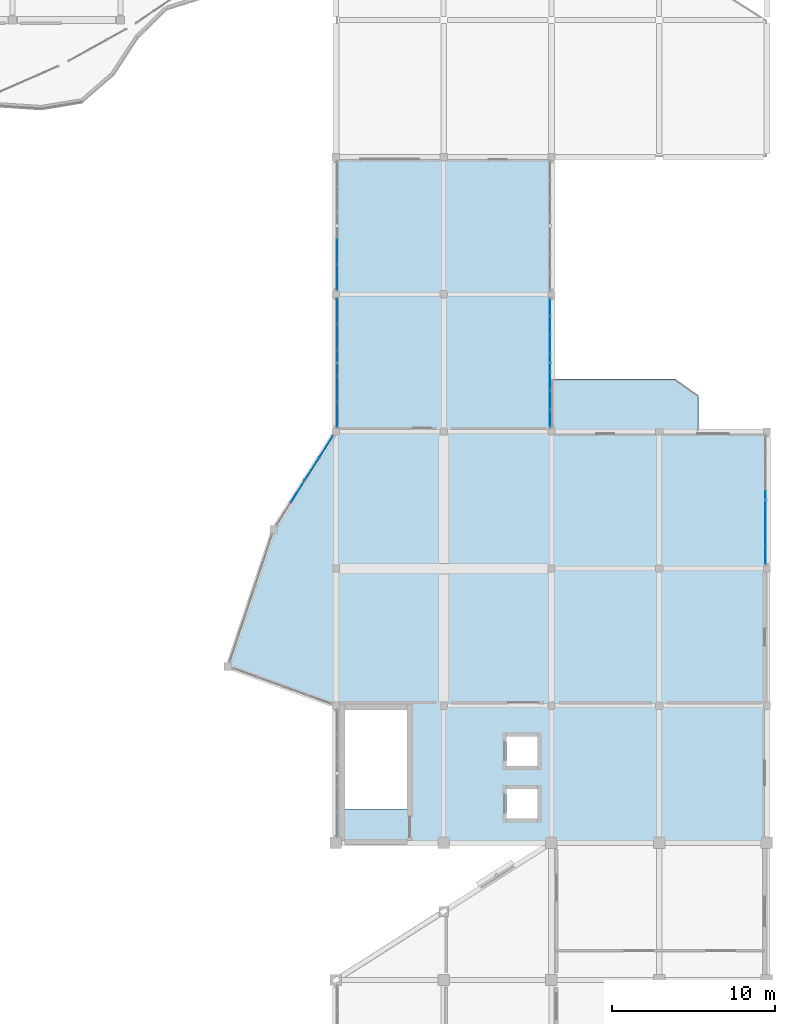
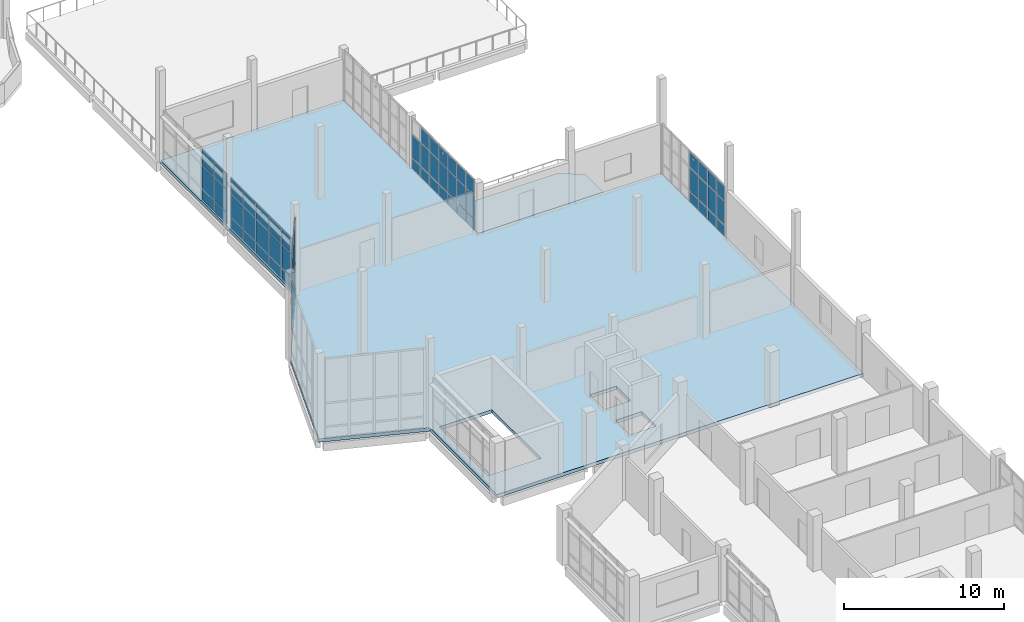
# One storey, part 52 of 78: 61 plates, 2 slabs, 5 elements without a shape of their own.
"""IFC4 building model written with IfcOpenShell, lengths in metres."""

from ifc_helpers import new_model, si_unit, direction, frame, origin, origin_2d, place, context, subcontext, project, spatial, polyline, rectangle, outline, extrude, material, layer, layer_set, type_object, element, aggregate, save


model = new_model("IFC4")

# Units and contexts
model_context = context("Model", 3, precision=1e-05, world=origin(), true_north=direction((0.0, 1.0)))
body_context = subcontext(model_context, "Body", "Model", "MODEL_VIEW")
ifc_project = project(units=[si_unit("LENGTHUNIT", "METRE"), si_unit("AREAUNIT", "SQUARE_METRE"), si_unit("VOLUMEUNIT", "CUBIC_METRE"), si_unit("PLANEANGLEUNIT", "RADIAN"), si_unit("MASSUNIT", "GRAM", prefix="KILO")], contexts=[model_context])

# Site, building, storey
site_placement = place(None, origin())
site = spatial("IfcSite", under=ifc_project, at=site_placement, CompositionType="ELEMENT")
building_placement = place(site_placement, origin())
building = spatial("IfcBuilding", under=site, at=building_placement, Name="Qaldarim Faculty of Natural and Applied Sciences", CompositionType="ELEMENT")
storey_placement = place(building_placement, frame((0.0, 0.0, 18.60009765625)))
storey = spatial("IfcBuildingStorey", under=building, at=storey_placement, Name="L04", CompositionType="ELEMENT", Elevation=18.60009765625)

# Slab
ifc_material_1 = material(Name="Concrete C40/50", Category="concrete")
ifc_layer_1 = layer(ifc_material_1, 0.260009765625)
ifc_layer_set_1 = layer_set([ifc_layer_1], Name="Concrete C40/50")
slab_type_1 = type_object("IfcSlabType", Name="LaboratoryFloorSlab-260", PredefinedType="FLOOR", material=ifc_layer_set_1)
slab_1_placement = place(storey_placement, frame((0.0, 0.0, -0.260009765625)))
element("IfcSlab", 1, at=slab_1_placement, inside=storey, type_object=slab_type_1, Name="Floor slab L04 V3", PredefinedType="FLOOR", context=body_context, shape_type="SweptSolid", body=[
    extrude(outline(polyline([(148.0, 78.0), (151.800048828125, 84.0), (151.800048828125, 100.800048828125), (165.0, 100.800048828125), (165.0, 84.0), (178.199951171875, 84.0), (178.199951171875, 58.800048828125), (151.800048828125, 58.800048828125), (151.800048828125, 67.199951171875), (145.199951171875, 69.60009765625), (148.0, 78.0)]), holes=[polyline([(156.14990234375, 60.864990234375), (156.14990234375, 66.97509765625), (152.35009765625, 66.97509765625), (152.35009765625, 60.864990234375), (156.14990234375, 60.864990234375)]), polyline([(162.25, 60.300048828125), (164.14990234375, 60.300048828125), (164.14990234375, 62.10009765625), (162.25, 62.10009765625), (162.25, 60.300048828125)]), polyline([(162.25, 63.5), (164.14990234375, 63.5), (164.14990234375, 65.300048828125), (162.25, 65.300048828125), (162.25, 63.5)])]), origin(), (0.0, 0.0, 1.0), 0.260009765625),
])

# Curtain wall, plates
ifc_material_2 = material(Name="Anodised aluminium AW-6063", Category="aluminium")
curtain_wall_type_1 = type_object("IfcCurtainWallType", Name="CurtainWallSystem-M1200", PredefinedType="USERDEFINED", material=ifc_material_2)
curtain_wall_1_placement = place(storey_placement, origin())
curtain_wall_1 = element("IfcCurtainWall", 2, at=curtain_wall_1_placement, inside=storey, type_object=curtain_wall_type_1, Name="Curtain wall CW-L04-E-X25Y11", ObjectType="STICK CURTAIN WALL", PredefinedType="USERDEFINED")
ifc_material_3 = material(Name="Insulated low-e double glazing", Category="glass")
ifc_layer_2 = layer(ifc_material_3, 0.031982421875)
ifc_layer_set_2 = layer_set([ifc_layer_2], Name="Insulated low-e double glazing")
plate_type_1 = type_object("IfcPlateType", Name="SolarControlGlazingPanel-32", PredefinedType="CURTAIN_PANEL", material=ifc_layer_set_2)
plate_1_placement = place(storey_placement, frame((164.919921875, 84.80615234375, 0.06982421875), z_axis=(0.0, 0.0, 1.0), x_axis=(0.0, 1.0, 0.0)))
plate_1 = element("IfcPlate", 3, at=plate_1_placement, type_object=plate_type_1, Name="Glazed panel 1-1 of CW-L04-E-X25Y11", PredefinedType="CURTAIN_PANEL", context=body_context, shape_type="SweptSolid", body=[
    extrude(rectangle(XDim=1.031982421875, YDim=0.031982421875, at=origin_2d()), origin(), (0.0, 0.0, 1.0), 0.794921875),
])
plate_2_placement = place(storey_placement, frame((164.919921875, 84.80615234375, 0.934814453125), z_axis=(0.0, 0.0, 1.0), x_axis=(0.0, 1.0, 0.0)))
plate_2 = element("IfcPlate", 4, at=plate_2_placement, type_object=plate_type_1, Name="Glazed panel 1-2 of CW-L04-E-X25Y11", PredefinedType="CURTAIN_PANEL", context=body_context, shape_type="SweptSolid", body=[
    extrude(rectangle(XDim=1.031982421875, YDim=0.031982421875, at=origin_2d()), origin(), (0.0, 0.0, 1.0), 1.72998046875),
])
plate_3_placement = place(storey_placement, frame((164.919921875, 84.80615234375, 2.73486328125), z_axis=(0.0, 0.0, 1.0), x_axis=(0.0, 1.0, 0.0)))
plate_3 = element("IfcPlate", 5, at=plate_3_placement, type_object=plate_type_1, Name="Glazed panel 1-3 of CW-L04-E-X25Y11", PredefinedType="CURTAIN_PANEL", context=body_context, shape_type="SweptSolid", body=[
    extrude(rectangle(XDim=1.031982421875, YDim=0.031982421875, at=origin_2d()), origin(), (0.0, 0.0, 1.0), 1.135009765625),
])
plate_4_placement = place(storey_placement, frame((164.919921875, 85.92578125, 0.06982421875), z_axis=(0.0, 0.0, 1.0), x_axis=(0.0, 1.0, 0.0)))
plate_4 = element("IfcPlate", 6, at=plate_4_placement, type_object=plate_type_1, Name="Glazed panel 2-1 of CW-L04-E-X25Y11", PredefinedType="CURTAIN_PANEL", context=body_context, shape_type="SweptSolid", body=[
    extrude(rectangle(XDim=1.067138671875, YDim=0.031982421875, at=origin_2d()), origin(), (0.0, 0.0, 1.0), 0.794921875),
])
plate_5_placement = place(storey_placement, frame((164.919921875, 85.92578125, 0.934814453125), z_axis=(0.0, 0.0, 1.0), x_axis=(0.0, 1.0, 0.0)))
plate_5 = element("IfcPlate", 7, at=plate_5_placement, type_object=plate_type_1, Name="Glazed panel 2-2 of CW-L04-E-X25Y11", PredefinedType="CURTAIN_PANEL", context=body_context, shape_type="SweptSolid", body=[
    extrude(rectangle(XDim=1.067138671875, YDim=0.031982421875, at=origin_2d()), origin(), (0.0, 0.0, 1.0), 1.72998046875),
])
plate_6_placement = place(storey_placement, frame((164.919921875, 85.92578125, 2.73486328125), z_axis=(0.0, 0.0, 1.0), x_axis=(0.0, 1.0, 0.0)))
plate_6 = element("IfcPlate", 8, at=plate_6_placement, type_object=plate_type_1, Name="Glazed panel 2-3 of CW-L04-E-X25Y11", PredefinedType="CURTAIN_PANEL", context=body_context, shape_type="SweptSolid", body=[
    extrude(rectangle(XDim=1.067138671875, YDim=0.031982421875, at=origin_2d()), origin(), (0.0, 0.0, 1.0), 1.135009765625),
])
plate_7_placement = place(storey_placement, frame((164.919921875, 87.06298828125, 0.06982421875), z_axis=(0.0, 0.0, 1.0), x_axis=(0.0, 1.0, 0.0)))
plate_7 = element("IfcPlate", 9, at=plate_7_placement, type_object=plate_type_1, Name="Glazed panel 3-1 of CW-L04-E-X25Y11", PredefinedType="CURTAIN_PANEL", context=body_context, shape_type="SweptSolid", body=[
    extrude(rectangle(XDim=1.067138671875, YDim=0.031982421875, at=origin_2d()), origin(), (0.0, 0.0, 1.0), 0.794921875),
])
plate_8_placement = place(storey_placement, frame((164.919921875, 87.06298828125, 0.934814453125), z_axis=(0.0, 0.0, 1.0), x_axis=(0.0, 1.0, 0.0)))
plate_8 = element("IfcPlate", 10, at=plate_8_placement, type_object=plate_type_1, Name="Glazed panel 3-2 of CW-L04-E-X25Y11", PredefinedType="CURTAIN_PANEL", context=body_context, shape_type="SweptSolid", body=[
    extrude(rectangle(XDim=1.067138671875, YDim=0.031982421875, at=origin_2d()), origin(), (0.0, 0.0, 1.0), 1.72998046875),
])
plate_9_placement = place(storey_placement, frame((164.919921875, 87.06298828125, 2.73486328125), z_axis=(0.0, 0.0, 1.0), x_axis=(0.0, 1.0, 0.0)))
plate_9 = element("IfcPlate", 11, at=plate_9_placement, type_object=plate_type_1, Name="Glazed panel 3-3 of CW-L04-E-X25Y11", PredefinedType="CURTAIN_PANEL", context=body_context, shape_type="SweptSolid", body=[
    extrude(rectangle(XDim=1.067138671875, YDim=0.031982421875, at=origin_2d()), origin(), (0.0, 0.0, 1.0), 1.135009765625),
])
plate_10_placement = place(storey_placement, frame((164.919921875, 88.199951171875, 0.06982421875), z_axis=(0.0, 0.0, 1.0), x_axis=(0.0, 1.0, 0.0)))
plate_10 = element("IfcPlate", 12, at=plate_10_placement, type_object=plate_type_1, Name="Glazed panel 4-1 of CW-L04-E-X25Y11", PredefinedType="CURTAIN_PANEL", context=body_context, shape_type="SweptSolid", body=[
    extrude(rectangle(XDim=1.067138671875, YDim=0.031982421875, at=origin_2d()), origin(), (0.0, 0.0, 1.0), 0.794921875),
])
plate_11_placement = place(storey_placement, frame((164.919921875, 88.199951171875, 0.934814453125), z_axis=(0.0, 0.0, 1.0), x_axis=(0.0, 1.0, 0.0)))
plate_11 = element("IfcPlate", 13, at=plate_11_placement, type_object=plate_type_1, Name="Glazed panel 4-2 of CW-L04-E-X25Y11", PredefinedType="CURTAIN_PANEL", context=body_context, shape_type="SweptSolid", body=[
    extrude(rectangle(XDim=1.067138671875, YDim=0.031982421875, at=origin_2d()), origin(), (0.0, 0.0, 1.0), 1.72998046875),
])
plate_12_placement = place(storey_placement, frame((164.919921875, 88.199951171875, 2.73486328125), z_axis=(0.0, 0.0, 1.0), x_axis=(0.0, 1.0, 0.0)))
plate_12 = element("IfcPlate", 14, at=plate_12_placement, type_object=plate_type_1, Name="Glazed panel 4-3 of CW-L04-E-X25Y11", PredefinedType="CURTAIN_PANEL", context=body_context, shape_type="SweptSolid", body=[
    extrude(rectangle(XDim=1.067138671875, YDim=0.031982421875, at=origin_2d()), origin(), (0.0, 0.0, 1.0), 1.135009765625),
])
plate_13_placement = place(storey_placement, frame((164.919921875, 89.337158203125, 0.06982421875), z_axis=(0.0, 0.0, 1.0), x_axis=(0.0, 1.0, 0.0)))
plate_13 = element("IfcPlate", 15, at=plate_13_placement, type_object=plate_type_1, Name="Glazed panel 5-1 of CW-L04-E-X25Y11", PredefinedType="CURTAIN_PANEL", context=body_context, shape_type="SweptSolid", body=[
    extrude(rectangle(XDim=1.067138671875, YDim=0.031982421875, at=origin_2d()), origin(), (0.0, 0.0, 1.0), 0.794921875),
])
plate_14_placement = place(storey_placement, frame((164.919921875, 89.337158203125, 0.934814453125), z_axis=(0.0, 0.0, 1.0), x_axis=(0.0, 1.0, 0.0)))
plate_14 = element("IfcPlate", 16, at=plate_14_placement, type_object=plate_type_1, Name="Glazed panel 5-2 of CW-L04-E-X25Y11", PredefinedType="CURTAIN_PANEL", context=body_context, shape_type="SweptSolid", body=[
    extrude(rectangle(XDim=1.067138671875, YDim=0.031982421875, at=origin_2d()), origin(), (0.0, 0.0, 1.0), 1.72998046875),
])
plate_15_placement = place(storey_placement, frame((164.919921875, 89.337158203125, 2.73486328125), z_axis=(0.0, 0.0, 1.0), x_axis=(0.0, 1.0, 0.0)))
plate_15 = element("IfcPlate", 17, at=plate_15_placement, type_object=plate_type_1, Name="Glazed panel 5-3 of CW-L04-E-X25Y11", PredefinedType="CURTAIN_PANEL", context=body_context, shape_type="SweptSolid", body=[
    extrude(rectangle(XDim=1.067138671875, YDim=0.031982421875, at=origin_2d()), origin(), (0.0, 0.0, 1.0), 1.135009765625),
])
plate_16_placement = place(storey_placement, frame((164.919921875, 90.474365234375, 0.06982421875), z_axis=(0.0, 0.0, 1.0), x_axis=(0.0, 1.0, 0.0)))
plate_16 = element("IfcPlate", 18, at=plate_16_placement, type_object=plate_type_1, Name="Glazed panel 6-1 of CW-L04-E-X25Y11", PredefinedType="CURTAIN_PANEL", context=body_context, shape_type="SweptSolid", body=[
    extrude(rectangle(XDim=1.067138671875, YDim=0.031982421875, at=origin_2d()), origin(), (0.0, 0.0, 1.0), 0.794921875),
])
plate_17_placement = place(storey_placement, frame((164.919921875, 90.474365234375, 0.934814453125), z_axis=(0.0, 0.0, 1.0), x_axis=(0.0, 1.0, 0.0)))
plate_17 = element("IfcPlate", 19, at=plate_17_placement, type_object=plate_type_1, Name="Glazed panel 6-2 of CW-L04-E-X25Y11", PredefinedType="CURTAIN_PANEL", context=body_context, shape_type="SweptSolid", body=[
    extrude(rectangle(XDim=1.067138671875, YDim=0.031982421875, at=origin_2d()), origin(), (0.0, 0.0, 1.0), 1.72998046875),
])
plate_18_placement = place(storey_placement, frame((164.919921875, 90.474365234375, 2.73486328125), z_axis=(0.0, 0.0, 1.0), x_axis=(0.0, 1.0, 0.0)))
plate_18 = element("IfcPlate", 20, at=plate_18_placement, type_object=plate_type_1, Name="Glazed panel 6-3 of CW-L04-E-X25Y11", PredefinedType="CURTAIN_PANEL", context=body_context, shape_type="SweptSolid", body=[
    extrude(rectangle(XDim=1.067138671875, YDim=0.031982421875, at=origin_2d()), origin(), (0.0, 0.0, 1.0), 1.135009765625),
])
plate_19_placement = place(storey_placement, frame((164.919921875, 91.593994140625, 0.06982421875), z_axis=(0.0, 0.0, 1.0), x_axis=(0.0, 1.0, 0.0)))
plate_19 = element("IfcPlate", 21, at=plate_19_placement, type_object=plate_type_1, Name="Glazed panel 7-1 of CW-L04-E-X25Y11", PredefinedType="CURTAIN_PANEL", context=body_context, shape_type="SweptSolid", body=[
    extrude(rectangle(XDim=1.031982421875, YDim=0.031982421875, at=origin_2d()), origin(), (0.0, 0.0, 1.0), 0.794921875),
])
plate_20_placement = place(storey_placement, frame((164.919921875, 91.593994140625, 0.934814453125), z_axis=(0.0, 0.0, 1.0), x_axis=(0.0, 1.0, 0.0)))
plate_20 = element("IfcPlate", 22, at=plate_20_placement, type_object=plate_type_1, Name="Glazed panel 7-2 of CW-L04-E-X25Y11", PredefinedType="CURTAIN_PANEL", context=body_context, shape_type="SweptSolid", body=[
    extrude(rectangle(XDim=1.031982421875, YDim=0.031982421875, at=origin_2d()), origin(), (0.0, 0.0, 1.0), 1.72998046875),
])
aggregate(curtain_wall_1, [plate_1, plate_2, plate_3, plate_4, plate_5, plate_6, plate_7, plate_8, plate_9, plate_10, plate_11, plate_12, plate_13, plate_14, plate_15, plate_16, plate_17, plate_18, plate_19, plate_20])

curtain_wall_2_placement = place(storey_placement, origin())
curtain_wall_2 = element("IfcCurtainWall", 23, at=curtain_wall_2_placement, inside=storey, type_object=curtain_wall_type_1, Name="Curtain wall CW-L04-E-X27Y10", ObjectType="STICK CURTAIN WALL", PredefinedType="USERDEFINED")
plate_21_placement = place(storey_placement, frame((178.1201171875, 76.406005859375, 0.06982421875), z_axis=(0.0, 0.0, 1.0), x_axis=(0.0, 1.0, 0.0)))
plate_21 = element("IfcPlate", 24, at=plate_21_placement, type_object=plate_type_1, Name="Glazed panel 1-1 of CW-L04-E-X27Y10", PredefinedType="CURTAIN_PANEL", context=body_context, shape_type="SweptSolid", body=[
    extrude(rectangle(XDim=1.031982421875, YDim=0.031982421875, at=origin_2d()), origin(), (0.0, 0.0, 1.0), 0.794921875),
])
plate_22_placement = place(storey_placement, frame((178.1201171875, 76.406005859375, 0.934814453125), z_axis=(0.0, 0.0, 1.0), x_axis=(0.0, 1.0, 0.0)))
plate_22 = element("IfcPlate", 25, at=plate_22_placement, type_object=plate_type_1, Name="Glazed panel 1-2 of CW-L04-E-X27Y10", PredefinedType="CURTAIN_PANEL", context=body_context, shape_type="SweptSolid", body=[
    extrude(rectangle(XDim=1.031982421875, YDim=0.031982421875, at=origin_2d()), origin(), (0.0, 0.0, 1.0), 1.72998046875),
])
plate_23_placement = place(storey_placement, frame((178.1201171875, 76.406005859375, 2.73486328125), z_axis=(0.0, 0.0, 1.0), x_axis=(0.0, 1.0, 0.0)))
plate_23 = element("IfcPlate", 26, at=plate_23_placement, type_object=plate_type_1, Name="Glazed panel 1-3 of CW-L04-E-X27Y10", PredefinedType="CURTAIN_PANEL", context=body_context, shape_type="SweptSolid", body=[
    extrude(rectangle(XDim=1.031982421875, YDim=0.031982421875, at=origin_2d()), origin(), (0.0, 0.0, 1.0), 1.135009765625),
])
plate_24_placement = place(storey_placement, frame((178.1201171875, 77.525634765625, 0.06982421875), z_axis=(0.0, 0.0, 1.0), x_axis=(0.0, 1.0, 0.0)))
plate_24 = element("IfcPlate", 27, at=plate_24_placement, type_object=plate_type_1, Name="Glazed panel 2-1 of CW-L04-E-X27Y10", PredefinedType="CURTAIN_PANEL", context=body_context, shape_type="SweptSolid", body=[
    extrude(rectangle(XDim=1.067138671875, YDim=0.031982421875, at=origin_2d()), origin(), (0.0, 0.0, 1.0), 0.794921875),
])
plate_25_placement = place(storey_placement, frame((178.1201171875, 77.525634765625, 0.934814453125), z_axis=(0.0, 0.0, 1.0), x_axis=(0.0, 1.0, 0.0)))
plate_25 = element("IfcPlate", 28, at=plate_25_placement, type_object=plate_type_1, Name="Glazed panel 2-2 of CW-L04-E-X27Y10", PredefinedType="CURTAIN_PANEL", context=body_context, shape_type="SweptSolid", body=[
    extrude(rectangle(XDim=1.067138671875, YDim=0.031982421875, at=origin_2d()), origin(), (0.0, 0.0, 1.0), 1.72998046875),
])
plate_26_placement = place(storey_placement, frame((178.1201171875, 77.525634765625, 2.73486328125), z_axis=(0.0, 0.0, 1.0), x_axis=(0.0, 1.0, 0.0)))
plate_26 = element("IfcPlate", 29, at=plate_26_placement, type_object=plate_type_1, Name="Glazed panel 2-3 of CW-L04-E-X27Y10", PredefinedType="CURTAIN_PANEL", context=body_context, shape_type="SweptSolid", body=[
    extrude(rectangle(XDim=1.067138671875, YDim=0.031982421875, at=origin_2d()), origin(), (0.0, 0.0, 1.0), 1.135009765625),
])
plate_27_placement = place(storey_placement, frame((178.1201171875, 78.662841796875, 0.06982421875), z_axis=(0.0, 0.0, 1.0), x_axis=(0.0, 1.0, 0.0)))
plate_27 = element("IfcPlate", 30, at=plate_27_placement, type_object=plate_type_1, Name="Glazed panel 3-1 of CW-L04-E-X27Y10", PredefinedType="CURTAIN_PANEL", context=body_context, shape_type="SweptSolid", body=[
    extrude(rectangle(XDim=1.067138671875, YDim=0.031982421875, at=origin_2d()), origin(), (0.0, 0.0, 1.0), 0.794921875),
])
plate_28_placement = place(storey_placement, frame((178.1201171875, 78.662841796875, 0.934814453125), z_axis=(0.0, 0.0, 1.0), x_axis=(0.0, 1.0, 0.0)))
plate_28 = element("IfcPlate", 31, at=plate_28_placement, type_object=plate_type_1, Name="Glazed panel 3-2 of CW-L04-E-X27Y10", PredefinedType="CURTAIN_PANEL", context=body_context, shape_type="SweptSolid", body=[
    extrude(rectangle(XDim=1.067138671875, YDim=0.031982421875, at=origin_2d()), origin(), (0.0, 0.0, 1.0), 1.72998046875),
])
plate_29_placement = place(storey_placement, frame((178.1201171875, 78.662841796875, 2.73486328125), z_axis=(0.0, 0.0, 1.0), x_axis=(0.0, 1.0, 0.0)))
plate_29 = element("IfcPlate", 32, at=plate_29_placement, type_object=plate_type_1, Name="Glazed panel 3-3 of CW-L04-E-X27Y10", PredefinedType="CURTAIN_PANEL", context=body_context, shape_type="SweptSolid", body=[
    extrude(rectangle(XDim=1.067138671875, YDim=0.031982421875, at=origin_2d()), origin(), (0.0, 0.0, 1.0), 1.135009765625),
])
plate_30_placement = place(storey_placement, frame((178.1201171875, 79.800048828125, 0.06982421875), z_axis=(0.0, 0.0, 1.0), x_axis=(0.0, 1.0, 0.0)))
plate_30 = element("IfcPlate", 33, at=plate_30_placement, type_object=plate_type_1, Name="Glazed panel 4-1 of CW-L04-E-X27Y10", PredefinedType="CURTAIN_PANEL", context=body_context, shape_type="SweptSolid", body=[
    extrude(rectangle(XDim=1.067138671875, YDim=0.031982421875, at=origin_2d()), origin(), (0.0, 0.0, 1.0), 0.794921875),
])
plate_31_placement = place(storey_placement, frame((178.1201171875, 79.800048828125, 0.934814453125), z_axis=(0.0, 0.0, 1.0), x_axis=(0.0, 1.0, 0.0)))
plate_31 = element("IfcPlate", 34, at=plate_31_placement, type_object=plate_type_1, Name="Glazed panel 4-2 of CW-L04-E-X27Y10", PredefinedType="CURTAIN_PANEL", context=body_context, shape_type="SweptSolid", body=[
    extrude(rectangle(XDim=1.067138671875, YDim=0.031982421875, at=origin_2d()), origin(), (0.0, 0.0, 1.0), 1.72998046875),
])
plate_32_placement = place(storey_placement, frame((178.1201171875, 79.800048828125, 2.73486328125), z_axis=(0.0, 0.0, 1.0), x_axis=(0.0, 1.0, 0.0)))
plate_32 = element("IfcPlate", 35, at=plate_32_placement, type_object=plate_type_1, Name="Glazed panel 4-3 of CW-L04-E-X27Y10", PredefinedType="CURTAIN_PANEL", context=body_context, shape_type="SweptSolid", body=[
    extrude(rectangle(XDim=1.067138671875, YDim=0.031982421875, at=origin_2d()), origin(), (0.0, 0.0, 1.0), 1.135009765625),
])
aggregate(curtain_wall_2, [plate_21, plate_22, plate_23, plate_24, plate_25, plate_26, plate_27, plate_28, plate_29, plate_30, plate_31, plate_32])

# Slab
ifc_layer_3 = layer(ifc_material_1, 0.179931640625)
ifc_layer_set_3 = layer_set([ifc_layer_3], Name="Concrete C40/50")
slab_type_2 = type_object("IfcSlabType", Name="TerraceBalconySlab-180", PredefinedType="FLOOR", material=ifc_layer_set_3)
slab_2_placement = place(storey_placement, frame((0.0, 0.0, -0.18017578125)))
element("IfcSlab", 36, at=slab_2_placement, inside=storey, type_object=slab_type_2, Name="East botanical court reading balcony L04", PredefinedType="FLOOR", context=body_context, shape_type="SweptSolid", body=[
    extrude(outline(polyline([(165.0, 84.0), (174.0, 84.0), (174.0, 86.199951171875), (172.60009765625, 87.199951171875), (165.0, 87.199951171875), (165.0, 84.0)])), origin(), (0.0, 0.0, 1.0), 0.18017578125),
])

# Curtain wall, plates
curtain_wall_type_2 = type_object("IfcCurtainWallType", Name="CurtainWallSystem-M1600", PredefinedType="USERDEFINED", material=ifc_material_2)
curtain_wall_3_placement = place(storey_placement, origin())
curtain_wall_3 = element("IfcCurtainWall", 37, at=curtain_wall_3_placement, inside=storey, type_object=curtain_wall_type_2, Name="Curtain wall CW-L04-W-X24Y11", ObjectType="UNITISED FACADE", PredefinedType="USERDEFINED")
ifc_layer_4 = layer(ifc_material_3, 0.028076171875)
ifc_layer_set_4 = layer_set([ifc_layer_4], Name="Insulated low-e double glazing")
plate_type_2 = type_object("IfcPlateType", Name="VisionGlazingPanel-28", PredefinedType="CURTAIN_PANEL", material=ifc_layer_set_4)
plate_33_placement = place(storey_placement, frame((151.8798828125, 91.368896484375, 0.059814453125), z_axis=(0.0, 0.0, 1.0), x_axis=(0.0, -1.0, 0.0)))
plate_33 = element("IfcPlate", 38, at=plate_33_placement, type_object=plate_type_2, Name="Glazed panel 1-1 of CW-L04-W-X24Y11", PredefinedType="CURTAIN_PANEL", context=body_context, shape_type="SweptSolid", body=[
    extrude(rectangle(XDim=1.501953125, YDim=0.028076171875, at=origin_2d()), origin(), (0.0, 0.0, 1.0), 0.81005859375),
])
plate_34_placement = place(storey_placement, frame((151.8798828125, 91.368896484375, 0.9296875), z_axis=(0.0, 0.0, 1.0), x_axis=(0.0, -1.0, 0.0)))
plate_34 = element("IfcPlate", 39, at=plate_34_placement, type_object=plate_type_2, Name="Glazed panel 1-2 of CW-L04-W-X24Y11", PredefinedType="CURTAIN_PANEL", context=body_context, shape_type="SweptSolid", body=[
    extrude(rectangle(XDim=1.501953125, YDim=0.028076171875, at=origin_2d()), origin(), (0.0, 0.0, 1.0), 1.739990234375),
])
plate_35_placement = place(storey_placement, frame((151.8798828125, 91.368896484375, 2.72998046875), z_axis=(0.0, 0.0, 1.0), x_axis=(0.0, -1.0, 0.0)))
plate_35 = element("IfcPlate", 40, at=plate_35_placement, type_object=plate_type_2, Name="Glazed panel 1-3 of CW-L04-W-X24Y11", PredefinedType="CURTAIN_PANEL", context=body_context, shape_type="SweptSolid", body=[
    extrude(rectangle(XDim=1.501953125, YDim=0.028076171875, at=origin_2d()), origin(), (0.0, 0.0, 1.0), 1.14990234375),
])
plate_36_placement = place(storey_placement, frame((151.8798828125, 89.7919921875, 0.059814453125), z_axis=(0.0, 0.0, 1.0), x_axis=(0.0, -1.0, 0.0)))
plate_36 = element("IfcPlate", 41, at=plate_36_placement, type_object=plate_type_2, Name="Glazed panel 2-1 of CW-L04-W-X24Y11", PredefinedType="CURTAIN_PANEL", context=body_context, shape_type="SweptSolid", body=[
    extrude(rectangle(XDim=1.531982421875, YDim=0.028076171875, at=origin_2d()), origin(), (0.0, 0.0, 1.0), 0.81005859375),
])
plate_37_placement = place(storey_placement, frame((151.8798828125, 89.7919921875, 0.9296875), z_axis=(0.0, 0.0, 1.0), x_axis=(0.0, -1.0, 0.0)))
plate_37 = element("IfcPlate", 42, at=plate_37_placement, type_object=plate_type_2, Name="Glazed panel 2-2 of CW-L04-W-X24Y11", PredefinedType="CURTAIN_PANEL", context=body_context, shape_type="SweptSolid", body=[
    extrude(rectangle(XDim=1.531982421875, YDim=0.028076171875, at=origin_2d()), origin(), (0.0, 0.0, 1.0), 1.739990234375),
])
plate_38_placement = place(storey_placement, frame((151.8798828125, 89.7919921875, 2.72998046875), z_axis=(0.0, 0.0, 1.0), x_axis=(0.0, -1.0, 0.0)))
plate_38 = element("IfcPlate", 43, at=plate_38_placement, type_object=plate_type_2, Name="Glazed panel 2-3 of CW-L04-W-X24Y11", PredefinedType="CURTAIN_PANEL", context=body_context, shape_type="SweptSolid", body=[
    extrude(rectangle(XDim=1.531982421875, YDim=0.028076171875, at=origin_2d()), origin(), (0.0, 0.0, 1.0), 1.14990234375),
])
plate_39_placement = place(storey_placement, frame((151.8798828125, 88.199951171875, 0.059814453125), z_axis=(0.0, 0.0, 1.0), x_axis=(0.0, -1.0, 0.0)))
plate_39 = element("IfcPlate", 44, at=plate_39_placement, type_object=plate_type_2, Name="Glazed panel 3-1 of CW-L04-W-X24Y11", PredefinedType="CURTAIN_PANEL", context=body_context, shape_type="SweptSolid", body=[
    extrude(rectangle(XDim=1.531982421875, YDim=0.028076171875, at=origin_2d()), origin(), (0.0, 0.0, 1.0), 0.81005859375),
])
plate_40_placement = place(storey_placement, frame((151.8798828125, 88.199951171875, 0.9296875), z_axis=(0.0, 0.0, 1.0), x_axis=(0.0, -1.0, 0.0)))
plate_40 = element("IfcPlate", 45, at=plate_40_placement, type_object=plate_type_2, Name="Glazed panel 3-2 of CW-L04-W-X24Y11", PredefinedType="CURTAIN_PANEL", context=body_context, shape_type="SweptSolid", body=[
    extrude(rectangle(XDim=1.531982421875, YDim=0.028076171875, at=origin_2d()), origin(), (0.0, 0.0, 1.0), 1.739990234375),
])
plate_41_placement = place(storey_placement, frame((151.8798828125, 88.199951171875, 2.72998046875), z_axis=(0.0, 0.0, 1.0), x_axis=(0.0, -1.0, 0.0)))
plate_41 = element("IfcPlate", 46, at=plate_41_placement, type_object=plate_type_2, Name="Glazed panel 3-3 of CW-L04-W-X24Y11", PredefinedType="CURTAIN_PANEL", context=body_context, shape_type="SweptSolid", body=[
    extrude(rectangle(XDim=1.531982421875, YDim=0.028076171875, at=origin_2d()), origin(), (0.0, 0.0, 1.0), 1.14990234375),
])
plate_42_placement = place(storey_placement, frame((151.8798828125, 86.60791015625, 0.059814453125), z_axis=(0.0, 0.0, 1.0), x_axis=(0.0, -1.0, 0.0)))
plate_42 = element("IfcPlate", 47, at=plate_42_placement, type_object=plate_type_2, Name="Glazed panel 4-1 of CW-L04-W-X24Y11", PredefinedType="CURTAIN_PANEL", context=body_context, shape_type="SweptSolid", body=[
    extrude(rectangle(XDim=1.531982421875, YDim=0.028076171875, at=origin_2d()), origin(), (0.0, 0.0, 1.0), 0.81005859375),
])
plate_43_placement = place(storey_placement, frame((151.8798828125, 86.60791015625, 0.9296875), z_axis=(0.0, 0.0, 1.0), x_axis=(0.0, -1.0, 0.0)))
plate_43 = element("IfcPlate", 48, at=plate_43_placement, type_object=plate_type_2, Name="Glazed panel 4-2 of CW-L04-W-X24Y11", PredefinedType="CURTAIN_PANEL", context=body_context, shape_type="SweptSolid", body=[
    extrude(rectangle(XDim=1.531982421875, YDim=0.028076171875, at=origin_2d()), origin(), (0.0, 0.0, 1.0), 1.739990234375),
])
plate_44_placement = place(storey_placement, frame((151.8798828125, 86.60791015625, 2.72998046875), z_axis=(0.0, 0.0, 1.0), x_axis=(0.0, -1.0, 0.0)))
plate_44 = element("IfcPlate", 49, at=plate_44_placement, type_object=plate_type_2, Name="Glazed panel 4-3 of CW-L04-W-X24Y11", PredefinedType="CURTAIN_PANEL", context=body_context, shape_type="SweptSolid", body=[
    extrude(rectangle(XDim=1.531982421875, YDim=0.028076171875, at=origin_2d()), origin(), (0.0, 0.0, 1.0), 1.14990234375),
])
plate_45_placement = place(storey_placement, frame((151.8798828125, 85.031005859375, 0.059814453125), z_axis=(0.0, 0.0, 1.0), x_axis=(0.0, -1.0, 0.0)))
plate_45 = element("IfcPlate", 50, at=plate_45_placement, type_object=plate_type_2, Name="Glazed panel 5-1 of CW-L04-W-X24Y11", PredefinedType="CURTAIN_PANEL", context=body_context, shape_type="SweptSolid", body=[
    extrude(rectangle(XDim=1.501953125, YDim=0.028076171875, at=origin_2d()), origin(), (0.0, 0.0, 1.0), 0.81005859375),
])
plate_46_placement = place(storey_placement, frame((151.8798828125, 85.031005859375, 0.9296875), z_axis=(0.0, 0.0, 1.0), x_axis=(0.0, -1.0, 0.0)))
plate_46 = element("IfcPlate", 51, at=plate_46_placement, type_object=plate_type_2, Name="Glazed panel 5-2 of CW-L04-W-X24Y11", PredefinedType="CURTAIN_PANEL", context=body_context, shape_type="SweptSolid", body=[
    extrude(rectangle(XDim=1.501953125, YDim=0.028076171875, at=origin_2d()), origin(), (0.0, 0.0, 1.0), 1.739990234375),
])
plate_47_placement = place(storey_placement, frame((151.8798828125, 85.031005859375, 2.72998046875), z_axis=(0.0, 0.0, 1.0), x_axis=(0.0, -1.0, 0.0)))
plate_47 = element("IfcPlate", 52, at=plate_47_placement, type_object=plate_type_2, Name="Glazed panel 5-3 of CW-L04-W-X24Y11", PredefinedType="CURTAIN_PANEL", context=body_context, shape_type="SweptSolid", body=[
    extrude(rectangle(XDim=1.501953125, YDim=0.028076171875, at=origin_2d()), origin(), (0.0, 0.0, 1.0), 1.14990234375),
])
aggregate(curtain_wall_3, [plate_33, plate_34, plate_35, plate_36, plate_37, plate_38, plate_39, plate_40, plate_41, plate_42, plate_43, plate_44, plate_45, plate_46, plate_47])

curtain_wall_4_placement = place(storey_placement, origin())
curtain_wall_4 = element("IfcCurtainWall", 53, at=curtain_wall_4_placement, inside=storey, type_object=curtain_wall_type_2, Name="Curtain wall CW-L04-W-X24Y12", ObjectType="UNITISED FACADE", PredefinedType="USERDEFINED")
plate_48_placement = place(storey_placement, frame((151.8798828125, 95.008056640625, 0.059814453125), z_axis=(0.0, 0.0, 1.0), x_axis=(0.0, -1.0, 0.0)))
plate_48 = element("IfcPlate", 54, at=plate_48_placement, type_object=plate_type_2, Name="Glazed panel 4-1 of CW-L04-W-X24Y12", PredefinedType="CURTAIN_PANEL", context=body_context, shape_type="SweptSolid", body=[
    extrude(rectangle(XDim=1.531982421875, YDim=0.028076171875, at=origin_2d()), origin(), (0.0, 0.0, 1.0), 0.81005859375),
])
plate_49_placement = place(storey_placement, frame((151.8798828125, 95.008056640625, 0.9296875), z_axis=(0.0, 0.0, 1.0), x_axis=(0.0, -1.0, 0.0)))
plate_49 = element("IfcPlate", 55, at=plate_49_placement, type_object=plate_type_2, Name="Glazed panel 4-2 of CW-L04-W-X24Y12", PredefinedType="CURTAIN_PANEL", context=body_context, shape_type="SweptSolid", body=[
    extrude(rectangle(XDim=1.531982421875, YDim=0.028076171875, at=origin_2d()), origin(), (0.0, 0.0, 1.0), 1.739990234375),
])
plate_50_placement = place(storey_placement, frame((151.8798828125, 95.008056640625, 2.72998046875), z_axis=(0.0, 0.0, 1.0), x_axis=(0.0, -1.0, 0.0)))
plate_50 = element("IfcPlate", 56, at=plate_50_placement, type_object=plate_type_2, Name="Glazed panel 4-3 of CW-L04-W-X24Y12", PredefinedType="CURTAIN_PANEL", context=body_context, shape_type="SweptSolid", body=[
    extrude(rectangle(XDim=1.531982421875, YDim=0.028076171875, at=origin_2d()), origin(), (0.0, 0.0, 1.0), 1.14990234375),
])
plate_51_placement = place(storey_placement, frame((151.8798828125, 93.430908203125, 0.059814453125), z_axis=(0.0, 0.0, 1.0), x_axis=(0.0, -1.0, 0.0)))
plate_51 = element("IfcPlate", 57, at=plate_51_placement, type_object=plate_type_2, Name="Glazed panel 5-1 of CW-L04-W-X24Y12", PredefinedType="CURTAIN_PANEL", context=body_context, shape_type="SweptSolid", body=[
    extrude(rectangle(XDim=1.501953125, YDim=0.028076171875, at=origin_2d()), origin(), (0.0, 0.0, 1.0), 0.81005859375),
])
plate_52_placement = place(storey_placement, frame((151.8798828125, 93.430908203125, 0.9296875), z_axis=(0.0, 0.0, 1.0), x_axis=(0.0, -1.0, 0.0)))
plate_52 = element("IfcPlate", 58, at=plate_52_placement, type_object=plate_type_2, Name="Glazed panel 5-2 of CW-L04-W-X24Y12", PredefinedType="CURTAIN_PANEL", context=body_context, shape_type="SweptSolid", body=[
    extrude(rectangle(XDim=1.501953125, YDim=0.028076171875, at=origin_2d()), origin(), (0.0, 0.0, 1.0), 1.739990234375),
])
plate_53_placement = place(storey_placement, frame((151.8798828125, 93.430908203125, 2.72998046875), z_axis=(0.0, 0.0, 1.0), x_axis=(0.0, -1.0, 0.0)))
plate_53 = element("IfcPlate", 59, at=plate_53_placement, type_object=plate_type_2, Name="Glazed panel 5-3 of CW-L04-W-X24Y12", PredefinedType="CURTAIN_PANEL", context=body_context, shape_type="SweptSolid", body=[
    extrude(rectangle(XDim=1.501953125, YDim=0.028076171875, at=origin_2d()), origin(), (0.0, 0.0, 1.0), 1.14990234375),
])
aggregate(curtain_wall_4, [plate_48, plate_49, plate_50, plate_51, plate_52, plate_53])

curtain_wall_5_placement = place(storey_placement, origin())
curtain_wall_5 = element("IfcCurtainWall", 60, at=curtain_wall_5_placement, inside=storey, type_object=curtain_wall_type_2, Name="Curtain wall CW-PROW-L04-1", ObjectType="UNITISED FACADE", PredefinedType="USERDEFINED")
plate_54_placement = place(storey_placement, frame((151.197021484375, 83.046142578125, 0.059814453125), z_axis=(0.0, 0.0, 1.0), x_axis=(-0.535384632481, -0.844608368004, 0.0)))
plate_54 = element("IfcPlate", 61, at=plate_54_placement, type_object=plate_type_2, Name="Glazed panel 1-1 of CW-PROW-L04-1", PredefinedType="CURTAIN_PANEL", context=body_context, shape_type="SweptSolid", body=[
    extrude(rectangle(XDim=1.534912109375, YDim=0.028076171875, at=origin_2d()), origin(), (0.0, 0.0, 1.0), 0.81005859375),
])
plate_55_placement = place(storey_placement, frame((151.197021484375, 83.046142578125, 0.9296875), z_axis=(0.0, 0.0, 1.0), x_axis=(-0.535384632481, -0.844608368004, 0.0)))
plate_55 = element("IfcPlate", 62, at=plate_55_placement, type_object=plate_type_2, Name="Glazed panel 1-2 of CW-PROW-L04-1", PredefinedType="CURTAIN_PANEL", context=body_context, shape_type="SweptSolid", body=[
    extrude(rectangle(XDim=1.534912109375, YDim=0.028076171875, at=origin_2d()), origin(), (0.0, 0.0, 1.0), 1.739990234375),
])
plate_56_placement = place(storey_placement, frame((151.197021484375, 83.046142578125, 2.729736328125), z_axis=(0.0, 0.0, 1.0), x_axis=(-0.535384632481, -0.844608368004, 0.0)))
plate_56 = element("IfcPlate", 63, at=plate_56_placement, type_object=plate_type_2, Name="Glazed panel 1-3 of CW-PROW-L04-1", PredefinedType="CURTAIN_PANEL", context=body_context, shape_type="SweptSolid", body=[
    extrude(rectangle(XDim=1.534912109375, YDim=0.028076171875, at=origin_2d()), origin(), (0.0, 0.0, 1.0), 3.35009765625),
])
plate_57_placement = place(storey_placement, frame((150.3349609375, 81.686279296875, 0.059814453125), z_axis=(0.0, 0.0, 1.0), x_axis=(-0.535384632481, -0.844608368004, 0.0)))
plate_57 = element("IfcPlate", 64, at=plate_57_placement, type_object=plate_type_2, Name="Glazed panel 2-1 of CW-PROW-L04-1", PredefinedType="CURTAIN_PANEL", context=body_context, shape_type="SweptSolid", body=[
    extrude(rectangle(XDim=1.56494140625, YDim=0.028076171875, at=origin_2d()), origin(), (0.0, 0.0, 1.0), 0.81005859375),
])
plate_58_placement = place(storey_placement, frame((150.3349609375, 81.686279296875, 0.9296875), z_axis=(0.0, 0.0, 1.0), x_axis=(-0.535384632481, -0.844608368004, 0.0)))
plate_58 = element("IfcPlate", 65, at=plate_58_placement, type_object=plate_type_2, Name="Glazed panel 2-2 of CW-PROW-L04-1", PredefinedType="CURTAIN_PANEL", context=body_context, shape_type="SweptSolid", body=[
    extrude(rectangle(XDim=1.56494140625, YDim=0.028076171875, at=origin_2d()), origin(), (0.0, 0.0, 1.0), 1.739990234375),
])
plate_59_placement = place(storey_placement, frame((150.3349609375, 81.686279296875, 2.729736328125), z_axis=(0.0, 0.0, 1.0), x_axis=(-0.535384632481, -0.844608368004, 0.0)))
plate_59 = element("IfcPlate", 66, at=plate_59_placement, type_object=plate_type_2, Name="Glazed panel 2-3 of CW-PROW-L04-1", PredefinedType="CURTAIN_PANEL", context=body_context, shape_type="SweptSolid", body=[
    extrude(rectangle(XDim=1.56494140625, YDim=0.028076171875, at=origin_2d()), origin(), (0.0, 0.0, 1.0), 3.35009765625),
])
plate_60_placement = place(storey_placement, frame((149.465087890625, 80.313720703125, 0.9296875), z_axis=(0.0, 0.0, 1.0), x_axis=(-0.535384632481, -0.844608368004, 0.0)))
plate_60 = element("IfcPlate", 67, at=plate_60_placement, type_object=plate_type_2, Name="Glazed panel 3-2 of CW-PROW-L04-1", PredefinedType="CURTAIN_PANEL", context=body_context, shape_type="SweptSolid", body=[
    extrude(rectangle(XDim=1.56494140625, YDim=0.028076171875, at=origin_2d()), origin(), (0.0, 0.0, 1.0), 1.739990234375),
])
plate_61_placement = place(storey_placement, frame((149.465087890625, 80.313720703125, 2.729736328125), z_axis=(0.0, 0.0, 1.0), x_axis=(-0.535384632481, -0.844608368004, 0.0)))
plate_61 = element("IfcPlate", 68, at=plate_61_placement, type_object=plate_type_2, Name="Glazed panel 3-3 of CW-PROW-L04-1", PredefinedType="CURTAIN_PANEL", context=body_context, shape_type="SweptSolid", body=[
    extrude(rectangle(XDim=1.56494140625, YDim=0.028076171875, at=origin_2d()), origin(), (0.0, 0.0, 1.0), 3.35009765625),
])
aggregate(curtain_wall_5, [plate_54, plate_55, plate_56, plate_57, plate_58, plate_59, plate_60, plate_61])

save(model, "model.ifc")
